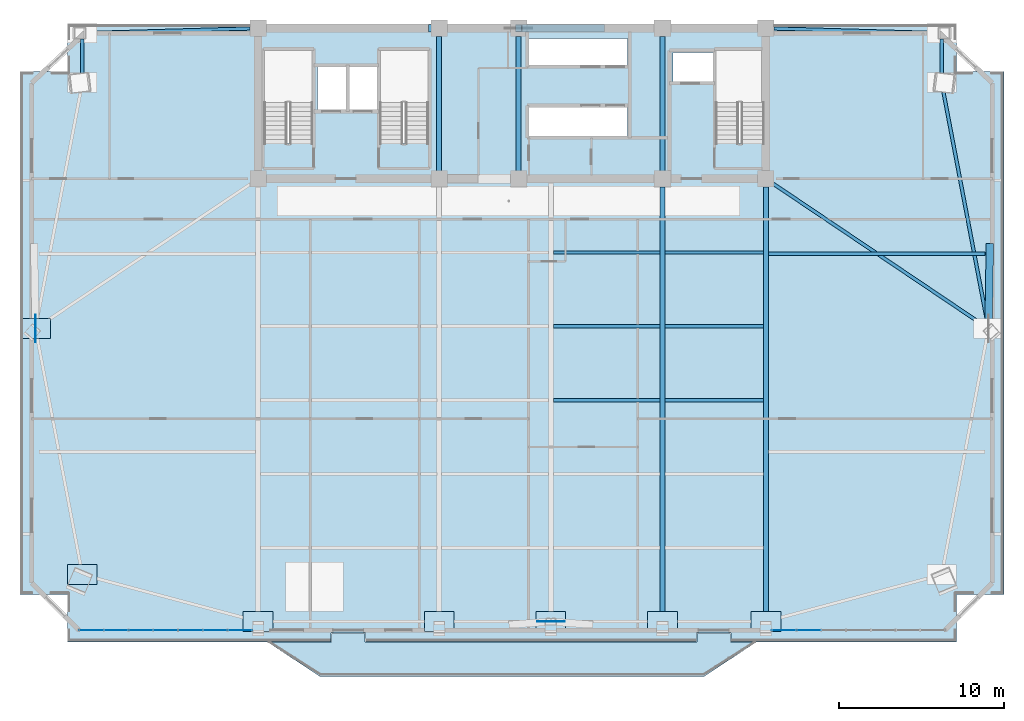
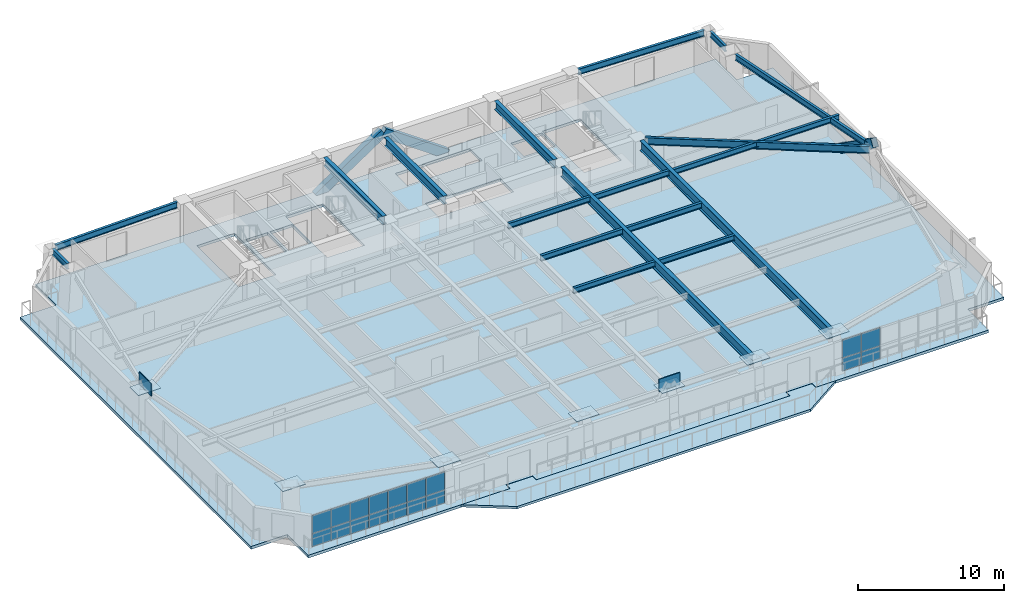
# One storey, part 6 of 15: 27 plates, 18 beams, 3 members, 2 slabs, 2 elements without a shape of their own.
"""IFC4 building model written with IfcOpenShell, lengths in metres."""

from ifc_helpers import new_model, si_unit, direction, frame, origin, origin_2d, place, context, subcontext, project, spatial, polyline, rectangle, hollow_rectangle, i_section, outline, extrude, source, transform, mapped, material, layer, layer_set, material_profile, profile_set, type_object, element, aggregate, save


model = new_model("IFC4")

# Units and contexts
model_context = context("Model", 3, precision=1e-05, world=origin(), true_north=direction((0.0, 1.0)))
body_context = subcontext(model_context, "Body", "Model", "MODEL_VIEW")
ifc_project = project(units=[si_unit("LENGTHUNIT", "METRE"), si_unit("AREAUNIT", "SQUARE_METRE"), si_unit("VOLUMEUNIT", "CUBIC_METRE"), si_unit("PLANEANGLEUNIT", "RADIAN"), si_unit("MASSUNIT", "GRAM", prefix="KILO")], contexts=[model_context])

# Site, building, storey
site_placement = place(None, origin())
site = spatial("IfcSite", under=ifc_project, at=site_placement, CompositionType="ELEMENT")
building_placement = place(site_placement, origin())
building = spatial("IfcBuilding", under=site, at=building_placement, Name="Giltprow Tower", CompositionType="ELEMENT")
storey_placement = place(building_placement, frame((0.0, 0.0, 187.699951171875)))
storey = spatial("IfcBuildingStorey", under=building, at=storey_placement, Name="L47", CompositionType="ELEMENT", Elevation=187.699951171875)

# Beams
ifc_material_1 = material(Name="Structural steel Q355B", Category="steel")
ifc_material_profile_1 = material_profile(ifc_material_1, i_section(OverallWidth=0.199951171875, OverallDepth=0.449951171875, WebThickness=0.009033203125, FlangeThickness=0.013916015625, at=origin_2d()), Name="HN 450x200x9x14")
ifc_profile_set_1 = profile_set([ifc_material_profile_1], Name="Structural steel Q355B")
beam_type_1 = type_object("IfcBeamType", Name="BM-JOIST-HN450", PredefinedType="JOIST", material=ifc_profile_set_1)
shared_shape_1 = source(origin(), body_context, "Body", "SweptSolid", [
    extrude(i_section(OverallWidth=0.199951171875, OverallDepth=0.449951171875, WebThickness=0.009033203125, FlangeThickness=0.013916015625, at=origin_2d()), origin(), (0.0, 0.0, 1.0), 6.4599609375),
])
for number, where, z_axis, x_axis, name in (
    (1, (37.695068359375, 24.06494140625, 2.9951171875), (1.0, 0.0, 0.0), (0.0, 1.0, 0.0), "L47 Composite Floor Joist 3-3"),
    (2, (37.695068359375, 28.527099609375, 2.9951171875), (1.0, 0.0, 0.0), (0.0, 1.0, 0.0), "L47 Composite Floor Joist 4-3"),
    (3, (37.695068359375, 32.988037109375, 2.9951171875), (1.0, 0.0, 0.0), (0.0, 1.0, 0.0), "L47 Composite Floor Joist 5-3"),
):
    element("IfcBeam", number, at=place(storey_placement, frame(where, z_axis=z_axis, x_axis=x_axis)), inside=storey, type_object=beam_type_1, Name=name, PredefinedType="JOIST", context=body_context, shape_type="MappedRepresentation", body=[
        mapped(shared_shape_1, transform((0.0, 0.0, 0.0), x_axis=(1.0, 0.0, 0.0), y_axis=(0.0, 1.0, 0.0), z_axis=(0.0, 0.0, 1.0), scale=1.0)),
    ])
shared_shape_2 = source(origin(), body_context, "Body", "SweptSolid", [
    extrude(i_section(OverallWidth=0.199951171875, OverallDepth=0.449951171875, WebThickness=0.009033203125, FlangeThickness=0.013916015625, at=origin_2d()), origin(), (0.0, 0.0, 1.0), 5.9599609375),
])
for number, where, z_axis, x_axis, name in (
    (4, (44.445068359375, 24.06494140625, 2.9951171875), (1.0, 0.0, 0.0), (0.0, 1.0, 0.0), "L47 Composite Floor Joist 3-4"),
    (5, (44.445068359375, 28.527099609375, 2.9951171875), (1.0, 0.0, 0.0), (0.0, 1.0, 0.0), "L47 Composite Floor Joist 4-4"),
    (6, (44.445068359375, 32.988037109375, 2.9951171875), (1.0, 0.0, 0.0), (0.0, 1.0, 0.0), "L47 Composite Floor Joist 5-4"),
):
    element("IfcBeam", number, at=place(storey_placement, frame(where, z_axis=z_axis, x_axis=x_axis)), inside=storey, type_object=beam_type_1, Name=name, PredefinedType="JOIST", context=body_context, shape_type="MappedRepresentation", body=[
        mapped(shared_shape_2, transform((0.0, 0.0, 0.0), x_axis=(1.0, 0.0, 0.0), y_axis=(0.0, 1.0, 0.0), z_axis=(0.0, 0.0, 1.0), scale=1.0)),
    ])
ifc_material_profile_2 = material_profile(ifc_material_1, i_section(OverallWidth=0.300048828125, OverallDepth=0.699951171875, WebThickness=0.012939453125, FlangeThickness=0.02392578125, at=origin_2d()), Name="HN 700x300x13x24")
ifc_profile_set_2 = profile_set([ifc_material_profile_2], Name="Structural steel Q355B")
beam_type_2 = type_object("IfcBeamType", Name="BM-GIRD-HN700", PredefinedType="BEAM", material=ifc_profile_set_2)
shared_shape_3 = source(origin(), body_context, "Body", "SweptSolid", [
    extrude(i_section(OverallWidth=0.300048828125, OverallDepth=0.699951171875, WebThickness=0.012939453125, FlangeThickness=0.02392578125, at=origin_2d()), origin(), (0.0, 0.0, 1.0), 8.1298828125),
])
for number, where, z_axis, x_axis, name in (
    (7, (30.800048828125, 37.93505859375, 2.8701171875), (0.0, 1.0, 0.0), (-1.0, 0.0, 0.0), "L47 Core Tie Girder M1"),
    (8, (35.60009765625, 37.93505859375, 2.8701171875), (0.0, 1.0, 0.0), (-1.0, 0.0, 0.0), "L47 Core Tie Girder M2"),
    (9, (44.300048828125, 37.93505859375, 2.8701171875), (0.0, 1.0, 0.0), (-1.0, 0.0, 0.0), "L47 Core Tie Girder M3"),
):
    element("IfcBeam", number, at=place(storey_placement, frame(where, z_axis=z_axis, x_axis=x_axis)), inside=storey, type_object=beam_type_2, Name=name, PredefinedType="BEAM", context=body_context, shape_type="MappedRepresentation", body=[
        mapped(shared_shape_3, transform((0.0, 0.0, 0.0), x_axis=(1.0, 0.0, 0.0), y_axis=(0.0, 1.0, 0.0), z_axis=(0.0, 0.0, 1.0), scale=1.0)),
    ])
ifc_material_profile_3 = material_profile(ifc_material_1, i_section(OverallWidth=0.199951171875, OverallDepth=0.5, WebThickness=0.010009765625, FlangeThickness=0.01611328125, at=origin_2d()), Name="HN 500x200x10x16")
ifc_profile_set_3 = profile_set([ifc_material_profile_3], Name="Structural steel Q355B")
beam_type_3 = type_object("IfcBeamType", Name="BM-SPAN-HN500", PredefinedType="SPANDREL", material=ifc_profile_set_3)
shared_shape_4 = source(origin(), body_context, "Body", "SweptSolid", [
    extrude(i_section(OverallWidth=0.199951171875, OverallDepth=0.5, WebThickness=0.010009765625, FlangeThickness=0.01611328125, at=origin_2d()), origin(), (0.0, 0.0, 1.0), 14.22216796875),
])
beam_1_placement = place(storey_placement, frame((63.948974609375, 28.718994140625, 2.969970703125), z_axis=(-0.187161802897, 0.982329099404, 0.0), x_axis=(-0.982329099404, -0.187161802897, 0.0)))
element("IfcBeam", 10, at=beam_1_placement, inside=storey, type_object=beam_type_3, Name="L47 Perimeter Spandrel Beam E_MID-MC_NE", PredefinedType="SPANDREL", context=body_context, shape_type="MappedRepresentation", body=[
    mapped(shared_shape_4, transform((0.0, 0.0, 0.0), x_axis=(1.0, 0.0, 0.0), y_axis=(0.0, 1.0, 0.0), z_axis=(0.0, 0.0, 1.0), scale=1.0)),
])
shared_shape_5 = source(origin(), body_context, "Body", "SweptSolid", [
    extrude(i_section(OverallWidth=0.199951171875, OverallDepth=0.5, WebThickness=0.010009765625, FlangeThickness=0.01611328125, at=origin_2d()), origin(), (0.0, 0.0, 1.0), 2.06494140625),
])
for number, where, z_axis, x_axis, name in (
    (11, (61.177001953125, 43.85009765625, 2.969970703125), (0.0, 1.0, 0.0), (-1.0, 0.0, 0.0), "L47 Perimeter Spandrel Beam MC_NE-N_E"),
    (12, (9.22412109375, 45.9150390625, 2.969970703125), (0.0, -1.0, 0.0), (1.0, 0.0, 0.0), "L47 Perimeter Spandrel Beam N_W-MC_NW"),
):
    element("IfcBeam", number, at=place(storey_placement, frame(where, z_axis=z_axis, x_axis=x_axis)), inside=storey, type_object=beam_type_3, Name=name, PredefinedType="SPANDREL", context=body_context, shape_type="MappedRepresentation", body=[
        mapped(shared_shape_5, transform((0.0, 0.0, 0.0), x_axis=(1.0, 0.0, 0.0), y_axis=(0.0, 1.0, 0.0), z_axis=(0.0, 0.0, 1.0), scale=1.0)),
    ])
shared_shape_6 = source(origin(), body_context, "Body", "SweptSolid", [
    extrude(i_section(OverallWidth=0.199951171875, OverallDepth=0.5, WebThickness=0.010009765625, FlangeThickness=0.01611328125, at=origin_2d()), origin(), (0.0, 0.0, 1.0), 9.809814453125),
])
beam_2_placement = place(storey_placement, frame((9.55908203125, 46.259033203125, 2.969970703125), z_axis=(0.999601671828, 0.028222290448, 0.0), x_axis=(-0.028222290448, 0.999601671828, 0.0)))
element("IfcBeam", 13, at=beam_2_placement, inside=storey, type_object=beam_type_3, Name="L47 North Wing Spandrel W", PredefinedType="SPANDREL", context=body_context, shape_type="MappedRepresentation", body=[
    mapped(shared_shape_6, transform((0.0, 0.0, 0.0), x_axis=(1.0, 0.0, 0.0), y_axis=(0.0, 1.0, 0.0), z_axis=(0.0, 0.0, 1.0), scale=1.0)),
])
shared_shape_7 = source(origin(), body_context, "Body", "SweptSolid", [
    extrude(i_section(OverallWidth=0.199951171875, OverallDepth=0.5, WebThickness=0.010009765625, FlangeThickness=0.01611328125, at=origin_2d()), origin(), (0.0, 0.0, 1.0), 9.81103515625),
])
beam_3_placement = place(storey_placement, frame((51.034912109375, 46.535888671875, 2.969970703125), z_axis=(0.999601770923, -0.028218780389, 0.0), x_axis=(0.028218780389, 0.999601770923, 0.0)))
element("IfcBeam", 14, at=beam_3_placement, inside=storey, type_object=beam_type_3, Name="L47 North Wing Spandrel E", PredefinedType="SPANDREL", context=body_context, shape_type="MappedRepresentation", body=[
    mapped(shared_shape_7, transform((0.0, 0.0, 0.0), x_axis=(1.0, 0.0, 0.0), y_axis=(0.0, 1.0, 0.0), z_axis=(0.0, 0.0, 1.0), scale=1.0)),
])
ifc_material_profile_4 = material_profile(ifc_material_1, i_section(OverallWidth=0.300048828125, OverallDepth=0.800048828125, WebThickness=0.013916015625, FlangeThickness=0.02587890625, at=origin_2d()), Name="HN 800x300x14x26")
ifc_profile_set_4 = profile_set([ifc_material_profile_4], Name="Structural steel Q355B")
beam_type_4 = type_object("IfcBeamType", Name="BM-GIRD-HN800", PredefinedType="BEAM", material=ifc_profile_set_4)
shared_shape_8 = source(origin(), body_context, "Body", "SweptSolid", [
    extrude(i_section(OverallWidth=0.300048828125, OverallDepth=0.800048828125, WebThickness=0.013916015625, FlangeThickness=0.02587890625, at=origin_2d()), origin(), (0.0, 0.0, 1.0), 25.9501953125),
])
for number, where, z_axis, x_axis, name in (
    (15, (44.300048828125, 11.014892578125, 2.820068359375), (0.0, 1.0, 0.0), (-1.0, 0.0, 0.0), "L47 Primary Lease Girder S3"),
    (16, (50.550048828125, 11.014892578125, 2.820068359375), (0.0, 1.0, 0.0), (-1.0, 0.0, 0.0), "L47 Primary Lease Girder S4"),
):
    element("IfcBeam", number, at=place(storey_placement, frame(where, z_axis=z_axis, x_axis=x_axis)), inside=storey, type_object=beam_type_4, Name=name, PredefinedType="BEAM", context=body_context, shape_type="MappedRepresentation", body=[
        mapped(shared_shape_8, transform((0.0, 0.0, 0.0), x_axis=(1.0, 0.0, 0.0), y_axis=(0.0, 1.0, 0.0), z_axis=(0.0, 0.0, 1.0), scale=1.0)),
    ])
ifc_material_profile_5 = material_profile(ifc_material_1, i_section(OverallWidth=0.199951171875, OverallDepth=0.60009765625, WebThickness=0.010986328125, FlangeThickness=0.01708984375, at=origin_2d()), Name="HN 600x200x11x17")
ifc_profile_set_5 = profile_set([ifc_material_profile_5], Name="Structural steel Q355B")
beam_type_5 = type_object("IfcBeamType", Name="BM-GIRD-HN600", PredefinedType="BEAM", material=ifc_profile_set_5)
shared_shape_9 = source(origin(), body_context, "Body", "SweptSolid", [
    extrude(i_section(OverallWidth=0.199951171875, OverallDepth=0.60009765625, WebThickness=0.010986328125, FlangeThickness=0.01708984375, at=origin_2d()), origin(), (0.0, 0.0, 1.0), 15.406982421875),
])
beam_4_placement = place(storey_placement, frame((63.73388671875, 28.576904296875, 2.920166015625), z_axis=(-0.829624023781, 0.558322468798, 0.0), x_axis=(-0.558322468798, -0.829624023781, 0.0)))
element("IfcBeam", 17, at=beam_4_placement, inside=storey, type_object=beam_type_5, Name="L47 East Wing Primary Girder", PredefinedType="BEAM", context=body_context, shape_type="MappedRepresentation", body=[
    mapped(shared_shape_9, transform((0.0, 0.0, 0.0), x_axis=(1.0, 0.0, 0.0), y_axis=(0.0, 1.0, 0.0), z_axis=(0.0, 0.0, 1.0), scale=1.0)),
])
shared_shape_10 = source(origin(), body_context, "Body", "SweptSolid", [
    extrude(i_section(OverallWidth=0.199951171875, OverallDepth=0.449951171875, WebThickness=0.009033203125, FlangeThickness=0.013916015625, at=origin_2d()), origin(), (0.0, 0.0, 1.0), 13.096923828125),
])
beam_5_placement = place(storey_placement, frame((50.695068359375, 32.919921875, 2.9951171875), z_axis=(1.0, 0.0, 0.0), x_axis=(0.0, 1.0, 0.0)))
element("IfcBeam", 18, at=beam_5_placement, inside=storey, type_object=beam_type_1, Name="L47 East Wing Floor Joist 2", PredefinedType="JOIST", context=body_context, shape_type="MappedRepresentation", body=[
    mapped(shared_shape_10, transform((0.0, 0.0, 0.0), x_axis=(1.0, 0.0, 0.0), y_axis=(0.0, 1.0, 0.0), z_axis=(0.0, 0.0, 1.0), scale=1.0)),
])

# Members
ifc_material_2 = material(Name="Structural steel Q420GJC", Category="steel")
ifc_material_profile_6 = material_profile(ifc_material_2, hollow_rectangle(XDim=0.449951171875, YDim=0.699951171875, WallThickness=0.031982421875, at=origin_2d()), Name="RHS 700x450x32")
ifc_profile_set_6 = profile_set([ifc_material_profile_6], Name="Structural steel Q420GJC")
member_type = type_object("IfcMemberType", Name="MBR-MEGA-RHS700", PredefinedType="BRACE", material=ifc_profile_set_6)
shared_shape_11 = source(origin(), body_context, "Body", "SweptSolid", [
    extrude(hollow_rectangle(XDim=0.449951171875, YDim=0.699951171875, WallThickness=0.031982421875, at=origin_2d()), origin(), (0.0, 0.0, 1.0), 6.309814453125),
])
member_1_placement = place(storey_placement, frame((30.35009765625, 46.550048828125, -0.139892578125), z_axis=(0.832050294338, 0.0, 0.554700196225), x_axis=(0.0, 1.0, 0.0)))
element("IfcMember", 19, at=member_1_placement, inside=storey, type_object=member_type, Name="L47 Chevron Mega-Brace N-L", PredefinedType="BRACE", context=body_context, shape_type="MappedRepresentation", body=[
    mapped(shared_shape_11, transform((0.0, 0.0, 0.0), x_axis=(1.0, 0.0, 0.0), y_axis=(0.0, 1.0, 0.0), z_axis=(0.0, 0.0, 1.0), scale=1.0)),
])
shared_shape_12 = source(origin(), body_context, "Body", "SweptSolid", [
    extrude(hollow_rectangle(XDim=0.449951171875, YDim=0.699951171875, WallThickness=0.031982421875, at=origin_2d()), origin(), (0.0, 0.0, 1.0), 6.08935546875),
])
member_2_placement = place(storey_placement, frame((40.5830078125, 46.550048828125, -0.139892578125), z_axis=(-0.818307902219, 0.0, 0.574780112014), x_axis=(0.0, -1.0, 0.0)))
element("IfcMember", 20, at=member_2_placement, inside=storey, type_object=member_type, Name="L47 Chevron Mega-Brace N-R", PredefinedType="BRACE", context=body_context, shape_type="MappedRepresentation", body=[
    mapped(shared_shape_12, transform((0.0, 0.0, 0.0), x_axis=(1.0, 0.0, 0.0), y_axis=(0.0, 1.0, 0.0), z_axis=(0.0, 0.0, 1.0), scale=1.0)),
])
shared_shape_13 = source(origin(), body_context, "Body", "SweptSolid", [
    extrude(hollow_rectangle(XDim=0.449951171875, YDim=0.699951171875, WallThickness=0.031982421875, at=origin_2d()), origin(), (0.0, 0.0, 1.0), 6.06298828125),
])
member_3_placement = place(storey_placement, frame((64.090087890625, 33.340087890625, 0.0), z_axis=(-0.012885435638, -0.816453415605, 0.577267516577), x_axis=(0.999875484254, -0.01578024043, 0.0)))
element("IfcMember", 21, at=member_3_placement, inside=storey, type_object=member_type, Name="L47 Chevron Mega-Brace E-R", PredefinedType="BRACE", context=body_context, shape_type="MappedRepresentation", body=[
    mapped(shared_shape_13, transform((0.0, 0.0, 0.0), x_axis=(1.0, 0.0, 0.0), y_axis=(0.0, 1.0, 0.0), z_axis=(0.0, 0.0, 1.0), scale=1.0)),
])

# Slabs
ifc_material_3 = material(Name="Concrete C40", Category="concrete")
ifc_layer_1 = layer(ifc_material_3, 0.199951171875, Name="Concrete C40")
ifc_layer_set_1 = layer_set([ifc_layer_1], Name="Concrete C40")
slab_type_1 = type_object("IfcSlabType", Name="SLB-BALC-BRONZE-200", PredefinedType="FLOOR", material=ifc_layer_set_1)
slab_1_placement = place(storey_placement, frame((0.0, 0.0, -0.199951171875)))
element("IfcSlab", 22, at=slab_1_placement, inside=storey, type_object=slab_type_1, Name="L47 Bronze Prow Waterfront Balcony Slab", PredefinedType="FLOOR", context=body_context, shape_type="SweptSolid", body=[
    extrude(outline(polyline([(50.0, 9.4541015625), (46.800048828125, 7.35400390625), (23.60009765625, 7.35400390625), (20.39990234375, 9.4541015625), (24.280029296875, 9.4541015625), (24.280029296875, 9.9541015625), (26.320068359375, 9.9541015625), (26.320068359375, 9.4541015625), (46.3798828125, 9.4541015625), (46.3798828125, 9.9541015625), (48.419921875, 9.9541015625), (48.419921875, 9.4541015625), (50.0, 9.4541015625)])), origin(), (0.0, 0.0, 1.0), 0.199951171875),
])
ifc_layer_2 = layer(ifc_material_3, 0.22998046875, Name="Concrete C40")
ifc_layer_set_2 = layer_set([ifc_layer_2], Name="Concrete C40")
slab_type_2 = type_object("IfcSlabType", Name="SLB-HTL-230", PredefinedType="FLOOR", material=ifc_layer_set_2)
slab_2_placement = place(storey_placement, frame((0.0, 0.0, -0.22998046875)))
element("IfcSlab", 23, at=slab_2_placement, inside=storey, type_object=slab_type_2, Name="L47 Structural Composite Floor Slab", PredefinedType="FLOOR", context=body_context, shape_type="SweptSolid", body=[
    extrude(outline(polyline([(8.31494140625, 9.4541015625), (8.31494140625, 12.31494140625), (5.4541015625, 12.31494140625), (5.4541015625, 43.93896484375), (8.31494140625, 43.93896484375), (8.31494140625, 46.800048828125), (62.0859375, 46.800048828125), (62.0859375, 43.93896484375), (64.947021484375, 43.93896484375), (64.947021484375, 12.31494140625), (62.0859375, 12.31494140625), (62.0859375, 9.4541015625), (48.449951171875, 9.4541015625), (48.449951171875, 9.97412109375), (46.35009765625, 9.97412109375), (46.35009765625, 9.4541015625), (26.35009765625, 9.4541015625), (26.35009765625, 9.97412109375), (24.25, 9.97412109375), (24.25, 9.4541015625), (8.31494140625, 9.4541015625)]), holes=[polyline([(42.169921875, 41.800048828125), (36.239990234375, 41.800048828125), (36.239990234375, 40.0), (42.169921875, 40.0), (42.169921875, 41.800048828125)]), polyline([(23.159912109375, 39.570068359375), (23.159912109375, 45.25), (20.199951171875, 45.25), (20.199951171875, 39.570068359375), (23.159912109375, 39.570068359375)]), polyline([(30.159912109375, 39.570068359375), (30.159912109375, 45.25), (27.199951171875, 45.25), (27.199951171875, 39.570068359375), (30.159912109375, 39.570068359375)]), polyline([(50.4599609375, 45.25), (47.5, 45.25), (47.5, 39.570068359375), (50.4599609375, 39.570068359375), (50.4599609375, 45.25)]), polyline([(25.169921875, 44.199951171875), (23.449951171875, 44.199951171875), (23.449951171875, 41.60009765625), (25.169921875, 41.60009765625), (25.169921875, 44.199951171875)]), polyline([(27.10009765625, 44.199951171875), (25.35009765625, 44.199951171875), (25.35009765625, 41.60009765625), (27.10009765625, 41.60009765625), (27.10009765625, 44.199951171875)]), polyline([(47.3798828125, 43.300048828125), (47.3798828125, 45.10009765625), (44.919921875, 45.10009765625), (44.919921875, 43.300048828125), (47.3798828125, 43.300048828125)]), polyline([(42.169921875, 44.300048828125), (42.169921875, 45.919921875), (36.239990234375, 45.919921875), (36.239990234375, 44.300048828125), (42.169921875, 44.300048828125)])]), origin(), (0.0, 0.0, 1.0), 0.22998046875),
])

# Plates
plate_type_1 = type_object("IfcPlateType", Name="PLT-NODE-CKN1", PredefinedType="USERDEFINED", material=ifc_material_2)
shared_shape_14 = source(origin(), body_context, "Body", "SweptSolid", [
    extrude(rectangle(XDim=1.800048828125, YDim=1.199951171875, at=origin_2d()), origin(), (0.0, 0.0, 1.0), 0.044921875),
])
for number, where, z_axis, x_axis, name in (
    (24, (9.22412109375, 13.514892578125, 3.177490234375), (0.0, 0.0, 1.0), (1.0, 0.0, 0.0), "CKN1 Column Taper Splice Node L47-MC_SW"),
    (25, (19.85009765625, 10.679931640625, 3.177490234375), (0.0, 0.0, 1.0), (1.0, 0.0, 0.0), "CKN1 Column Taper Splice Node L47-S1"),
    (26, (30.800048828125, 10.679931640625, 3.177490234375), (0.0, 0.0, 1.0), (1.0, 0.0, 0.0), "CKN1 Column Taper Splice Node L47-S2"),
    (27, (37.550048828125, 10.679931640625, 3.177490234375), (0.0, 0.0, 1.0), (1.0, 0.0, 0.0), "CKN1 Column Taper Splice Node L47-S_MID"),
    (28, (44.300048828125, 10.679931640625, 3.177490234375), (0.0, 0.0, 1.0), (1.0, 0.0, 0.0), "CKN1 Column Taper Splice Node L47-S3"),
    (29, (50.550048828125, 10.679931640625, 3.177490234375), (0.0, 0.0, 1.0), (1.0, 0.0, 0.0), "CKN1 Column Taper Splice Node L47-S4"),
    (30, (6.388916015625, 28.389892578125, 3.177490234375), (0.0, 0.0, 1.0), (1.0, 0.0, 0.0), "CKN1 Column Taper Splice Node L47-W_MID"),
):
    element("IfcPlate", number, at=place(storey_placement, frame(where, z_axis=z_axis, x_axis=x_axis)), inside=storey, type_object=plate_type_1, Name=name, ObjectType="SPLICE", PredefinedType="USERDEFINED", context=body_context, shape_type="MappedRepresentation", body=[
        mapped(shared_shape_14, transform((0.0, 0.0, 0.0), x_axis=(1.0, 0.0, 0.0), y_axis=(0.0, 1.0, 0.0), z_axis=(0.0, 0.0, 1.0), scale=1.0)),
    ])
plate_type_2 = type_object("IfcPlateType", Name="PLT-NODE-MBN2", PredefinedType="USERDEFINED", material=ifc_material_2)
shared_shape_15 = source(origin(), body_context, "Body", "SweptSolid", [
    extrude(rectangle(XDim=1.64990234375, YDim=0.044921875, at=origin_2d()), origin(), (0.0, 0.0, 1.0), 1.050048828125),
])
for number, where, z_axis, x_axis, name in (
    (31, (37.550048828125, 10.679931640625, 2.97509765625), (0.0, 0.0, 1.0), (1.0, 0.0, 0.0), "Mega-Brace Node L47-S-LB"),
    (32, (6.388916015625, 28.389892578125, 2.97509765625), (0.0, 0.0, 1.0), (0.0, 1.0, 0.0), "Mega-Brace Node L47-W-RB"),
):
    element("IfcPlate", number, at=place(storey_placement, frame(where, z_axis=z_axis, x_axis=x_axis)), inside=storey, type_object=plate_type_2, Name=name, ObjectType="GUSSET", PredefinedType="USERDEFINED", context=body_context, shape_type="MappedRepresentation", body=[
        mapped(shared_shape_15, transform((0.0, 0.0, 0.0), x_axis=(1.0, 0.0, 0.0), y_axis=(0.0, 1.0, 0.0), z_axis=(0.0, 0.0, 1.0), scale=1.0)),
    ])

# Curtain wall, plates
ifc_material_4 = material(Name="Anodized bronze", Category="metal")
ifc_layer_3 = layer(ifc_material_4, 0.179931640625, Name="Anodized bronze")
ifc_layer_set_3 = layer_set([ifc_layer_3], Name="Anodized bronze")
curtain_wall_type = type_object("IfcCurtainWallType", Name="CW-HTL-BRONZE", PredefinedType="NOTDEFINED", material=ifc_layer_set_3)
curtain_wall_1_placement = place(storey_placement, origin())
curtain_wall_1 = element("IfcCurtainWall", 33, at=curtain_wall_1_placement, inside=storey, type_object=curtain_wall_type, Name="L47 South Recessed Curtain Wall 1", PredefinedType="NOTDEFINED")
ifc_material_5 = material(Name="Insulated glass", Category="glass")
plate_type_3 = type_object("IfcPlateType", Name="CW-PANEL-IGU-28", PredefinedType="CURTAIN_PANEL", material=ifc_material_5)
shared_shape_16 = source(origin(), body_context, "Body", "SweptSolid", [
    extrude(rectangle(XDim=1.468017578125, YDim=0.028076171875, at=origin_2d()), origin(), (0.0, 0.0, 1.0), 1.06591796875),
])
plate_1_placement = place(storey_placement, frame((9.763916015625, 10.154052734375, 0.05419921875), z_axis=(0.0, 0.0, 1.0), x_axis=(1.0, 0.0, 0.0)))
plate_1 = element("IfcPlate", 34, at=plate_1_placement, type_object=plate_type_3, Name="L47 South Recessed Curtain Wall 1 Glazing Panel 1-1", PredefinedType="CURTAIN_PANEL", context=body_context, shape_type="MappedRepresentation", body=[
    mapped(shared_shape_16, transform((0.0, 0.0, 0.0), x_axis=(1.0, 0.0, 0.0), y_axis=(0.0, 1.0, 0.0), z_axis=(0.0, 0.0, 1.0), scale=1.0)),
])
plate_2_placement = place(storey_placement, frame((11.261962890625, 10.154052734375, 0.05419921875), z_axis=(0.0, 0.0, 1.0), x_axis=(1.0, 0.0, 0.0)))
plate_2 = element("IfcPlate", 35, at=plate_2_placement, type_object=plate_type_3, Name="L47 South Recessed Curtain Wall 1 Glazing Panel 2-1", PredefinedType="CURTAIN_PANEL", context=body_context, shape_type="MappedRepresentation", body=[
    mapped(shared_shape_16, transform((0.0, 0.0, 0.0), x_axis=(1.0, 0.0, 0.0), y_axis=(0.0, 1.0, 0.0), z_axis=(0.0, 0.0, 1.0), scale=1.0)),
])
plate_3_placement = place(storey_placement, frame((12.760009765625, 10.154052734375, 0.05419921875), z_axis=(0.0, 0.0, 1.0), x_axis=(1.0, 0.0, 0.0)))
plate_3 = element("IfcPlate", 36, at=plate_3_placement, type_object=plate_type_3, Name="L47 South Recessed Curtain Wall 1 Glazing Panel 3-1", PredefinedType="CURTAIN_PANEL", context=body_context, shape_type="MappedRepresentation", body=[
    mapped(shared_shape_16, transform((0.0, 0.0, 0.0), x_axis=(1.0, 0.0, 0.0), y_axis=(0.0, 1.0, 0.0), z_axis=(0.0, 0.0, 1.0), scale=1.0)),
])
plate_4_placement = place(storey_placement, frame((14.258056640625, 10.154052734375, 0.05419921875), z_axis=(0.0, 0.0, 1.0), x_axis=(1.0, 0.0, 0.0)))
plate_4 = element("IfcPlate", 37, at=plate_4_placement, type_object=plate_type_3, Name="L47 South Recessed Curtain Wall 1 Glazing Panel 4-1", PredefinedType="CURTAIN_PANEL", context=body_context, shape_type="MappedRepresentation", body=[
    mapped(shared_shape_16, transform((0.0, 0.0, 0.0), x_axis=(1.0, 0.0, 0.0), y_axis=(0.0, 1.0, 0.0), z_axis=(0.0, 0.0, 1.0), scale=1.0)),
])
plate_5_placement = place(storey_placement, frame((15.7548828125, 10.154052734375, 0.05419921875), z_axis=(0.0, 0.0, 1.0), x_axis=(1.0, 0.0, 0.0)))
plate_5 = element("IfcPlate", 38, at=plate_5_placement, type_object=plate_type_3, Name="L47 South Recessed Curtain Wall 1 Glazing Panel 5-1", PredefinedType="CURTAIN_PANEL", context=body_context, shape_type="MappedRepresentation", body=[
    mapped(shared_shape_16, transform((0.0, 0.0, 0.0), x_axis=(1.0, 0.0, 0.0), y_axis=(0.0, 1.0, 0.0), z_axis=(0.0, 0.0, 1.0), scale=1.0)),
])
plate_6_placement = place(storey_placement, frame((17.2529296875, 10.154052734375, 0.05419921875), z_axis=(0.0, 0.0, 1.0), x_axis=(1.0, 0.0, 0.0)))
plate_6 = element("IfcPlate", 39, at=plate_6_placement, type_object=plate_type_3, Name="L47 South Recessed Curtain Wall 1 Glazing Panel 6-1", PredefinedType="CURTAIN_PANEL", context=body_context, shape_type="MappedRepresentation", body=[
    mapped(shared_shape_16, transform((0.0, 0.0, 0.0), x_axis=(1.0, 0.0, 0.0), y_axis=(0.0, 1.0, 0.0), z_axis=(0.0, 0.0, 1.0), scale=1.0)),
])
plate_7_placement = place(storey_placement, frame((18.7509765625, 10.154052734375, 0.05419921875), z_axis=(0.0, 0.0, 1.0), x_axis=(1.0, 0.0, 0.0)))
plate_7 = element("IfcPlate", 40, at=plate_7_placement, type_object=plate_type_3, Name="L47 South Recessed Curtain Wall 1 Glazing Panel 7-1", PredefinedType="CURTAIN_PANEL", context=body_context, shape_type="MappedRepresentation", body=[
    mapped(shared_shape_16, transform((0.0, 0.0, 0.0), x_axis=(1.0, 0.0, 0.0), y_axis=(0.0, 1.0, 0.0), z_axis=(0.0, 0.0, 1.0), scale=1.0)),
])

curtain_wall_2_placement = place(storey_placement, origin())
curtain_wall_2 = element("IfcCurtainWall", 41, at=curtain_wall_2_placement, inside=storey, type_object=curtain_wall_type, Name="L47 South Recessed Curtain Wall 6", PredefinedType="NOTDEFINED")
plate_8_placement = place(storey_placement, frame((51.64892578125, 10.154052734375, 0.05419921875), z_axis=(0.0, 0.0, 1.0), x_axis=(1.0, 0.0, 0.0)))
plate_8 = element("IfcPlate", 42, at=plate_8_placement, type_object=plate_type_3, Name="L47 South Recessed Curtain Wall 6 Glazing Panel 1-1", PredefinedType="CURTAIN_PANEL", context=body_context, shape_type="MappedRepresentation", body=[
    mapped(shared_shape_16, transform((0.0, 0.0, 0.0), x_axis=(1.0, 0.0, 0.0), y_axis=(0.0, 1.0, 0.0), z_axis=(0.0, 0.0, 1.0), scale=1.0)),
])
plate_9_placement = place(storey_placement, frame((53.14697265625, 10.154052734375, 0.05419921875), z_axis=(0.0, 0.0, 1.0), x_axis=(1.0, 0.0, 0.0)))
plate_9 = element("IfcPlate", 43, at=plate_9_placement, type_object=plate_type_3, Name="L47 South Recessed Curtain Wall 6 Glazing Panel 2-1", PredefinedType="CURTAIN_PANEL", context=body_context, shape_type="MappedRepresentation", body=[
    mapped(shared_shape_16, transform((0.0, 0.0, 0.0), x_axis=(1.0, 0.0, 0.0), y_axis=(0.0, 1.0, 0.0), z_axis=(0.0, 0.0, 1.0), scale=1.0)),
])

# Plate
shared_shape_17 = source(origin(), body_context, "Body", "SweptSolid", [
    extrude(rectangle(XDim=1.468017578125, YDim=0.028076171875, at=origin_2d()), origin(), (0.0, 0.0, 1.0), 1.498046875),
])
plate_10_placement = place(storey_placement, frame((9.763916015625, 10.154052734375, 1.14794921875), z_axis=(0.0, 0.0, 1.0), x_axis=(1.0, 0.0, 0.0)))
plate_10 = element("IfcPlate", 44, at=plate_10_placement, type_object=plate_type_3, Name="L47 South Recessed Curtain Wall 1 Glazing Panel 1-2", PredefinedType="CURTAIN_PANEL", context=body_context, shape_type="MappedRepresentation", body=[
    mapped(shared_shape_17, transform((0.0, 0.0, 0.0), x_axis=(1.0, 0.0, 0.0), y_axis=(0.0, 1.0, 0.0), z_axis=(0.0, 0.0, 1.0), scale=1.0)),
])

plate_11_placement = place(storey_placement, frame((11.261962890625, 10.154052734375, 1.14794921875), z_axis=(0.0, 0.0, 1.0), x_axis=(1.0, 0.0, 0.0)))
plate_11 = element("IfcPlate", 45, at=plate_11_placement, type_object=plate_type_3, Name="L47 South Recessed Curtain Wall 1 Glazing Panel 2-2", PredefinedType="CURTAIN_PANEL", context=body_context, shape_type="MappedRepresentation", body=[
    mapped(shared_shape_17, transform((0.0, 0.0, 0.0), x_axis=(1.0, 0.0, 0.0), y_axis=(0.0, 1.0, 0.0), z_axis=(0.0, 0.0, 1.0), scale=1.0)),
])

plate_12_placement = place(storey_placement, frame((12.760009765625, 10.154052734375, 1.14794921875), z_axis=(0.0, 0.0, 1.0), x_axis=(1.0, 0.0, 0.0)))
plate_12 = element("IfcPlate", 46, at=plate_12_placement, type_object=plate_type_3, Name="L47 South Recessed Curtain Wall 1 Glazing Panel 3-2", PredefinedType="CURTAIN_PANEL", context=body_context, shape_type="MappedRepresentation", body=[
    mapped(shared_shape_17, transform((0.0, 0.0, 0.0), x_axis=(1.0, 0.0, 0.0), y_axis=(0.0, 1.0, 0.0), z_axis=(0.0, 0.0, 1.0), scale=1.0)),
])

plate_13_placement = place(storey_placement, frame((14.258056640625, 10.154052734375, 1.14794921875), z_axis=(0.0, 0.0, 1.0), x_axis=(1.0, 0.0, 0.0)))
plate_13 = element("IfcPlate", 47, at=plate_13_placement, type_object=plate_type_3, Name="L47 South Recessed Curtain Wall 1 Glazing Panel 4-2", PredefinedType="CURTAIN_PANEL", context=body_context, shape_type="MappedRepresentation", body=[
    mapped(shared_shape_17, transform((0.0, 0.0, 0.0), x_axis=(1.0, 0.0, 0.0), y_axis=(0.0, 1.0, 0.0), z_axis=(0.0, 0.0, 1.0), scale=1.0)),
])

plate_14_placement = place(storey_placement, frame((15.7548828125, 10.154052734375, 1.14794921875), z_axis=(0.0, 0.0, 1.0), x_axis=(1.0, 0.0, 0.0)))
plate_14 = element("IfcPlate", 48, at=plate_14_placement, type_object=plate_type_3, Name="L47 South Recessed Curtain Wall 1 Glazing Panel 5-2", PredefinedType="CURTAIN_PANEL", context=body_context, shape_type="MappedRepresentation", body=[
    mapped(shared_shape_17, transform((0.0, 0.0, 0.0), x_axis=(1.0, 0.0, 0.0), y_axis=(0.0, 1.0, 0.0), z_axis=(0.0, 0.0, 1.0), scale=1.0)),
])

plate_15_placement = place(storey_placement, frame((17.2529296875, 10.154052734375, 1.14794921875), z_axis=(0.0, 0.0, 1.0), x_axis=(1.0, 0.0, 0.0)))
plate_15 = element("IfcPlate", 49, at=plate_15_placement, type_object=plate_type_3, Name="L47 South Recessed Curtain Wall 1 Glazing Panel 6-2", PredefinedType="CURTAIN_PANEL", context=body_context, shape_type="MappedRepresentation", body=[
    mapped(shared_shape_17, transform((0.0, 0.0, 0.0), x_axis=(1.0, 0.0, 0.0), y_axis=(0.0, 1.0, 0.0), z_axis=(0.0, 0.0, 1.0), scale=1.0)),
])

plate_16_placement = place(storey_placement, frame((18.7509765625, 10.154052734375, 1.14794921875), z_axis=(0.0, 0.0, 1.0), x_axis=(1.0, 0.0, 0.0)))
plate_16 = element("IfcPlate", 50, at=plate_16_placement, type_object=plate_type_3, Name="L47 South Recessed Curtain Wall 1 Glazing Panel 7-2", PredefinedType="CURTAIN_PANEL", context=body_context, shape_type="MappedRepresentation", body=[
    mapped(shared_shape_17, transform((0.0, 0.0, 0.0), x_axis=(1.0, 0.0, 0.0), y_axis=(0.0, 1.0, 0.0), z_axis=(0.0, 0.0, 1.0), scale=1.0)),
])

aggregate(curtain_wall_1, [plate_1, plate_10, plate_2, plate_11, plate_3, plate_12, plate_4, plate_13, plate_5, plate_14, plate_6, plate_15, plate_7, plate_16])

plate_17_placement = place(storey_placement, frame((51.64892578125, 10.154052734375, 1.14794921875), z_axis=(0.0, 0.0, 1.0), x_axis=(1.0, 0.0, 0.0)))
plate_17 = element("IfcPlate", 51, at=plate_17_placement, type_object=plate_type_3, Name="L47 South Recessed Curtain Wall 6 Glazing Panel 1-2", PredefinedType="CURTAIN_PANEL", context=body_context, shape_type="MappedRepresentation", body=[
    mapped(shared_shape_17, transform((0.0, 0.0, 0.0), x_axis=(1.0, 0.0, 0.0), y_axis=(0.0, 1.0, 0.0), z_axis=(0.0, 0.0, 1.0), scale=1.0)),
])

plate_18_placement = place(storey_placement, frame((53.14697265625, 10.154052734375, 1.14794921875), z_axis=(0.0, 0.0, 1.0), x_axis=(1.0, 0.0, 0.0)))
plate_18 = element("IfcPlate", 52, at=plate_18_placement, type_object=plate_type_3, Name="L47 South Recessed Curtain Wall 6 Glazing Panel 2-2", PredefinedType="CURTAIN_PANEL", context=body_context, shape_type="MappedRepresentation", body=[
    mapped(shared_shape_17, transform((0.0, 0.0, 0.0), x_axis=(1.0, 0.0, 0.0), y_axis=(0.0, 1.0, 0.0), z_axis=(0.0, 0.0, 1.0), scale=1.0)),
])

aggregate(curtain_wall_2, [plate_8, plate_17, plate_9, plate_18])

save(model, "model.ifc")
